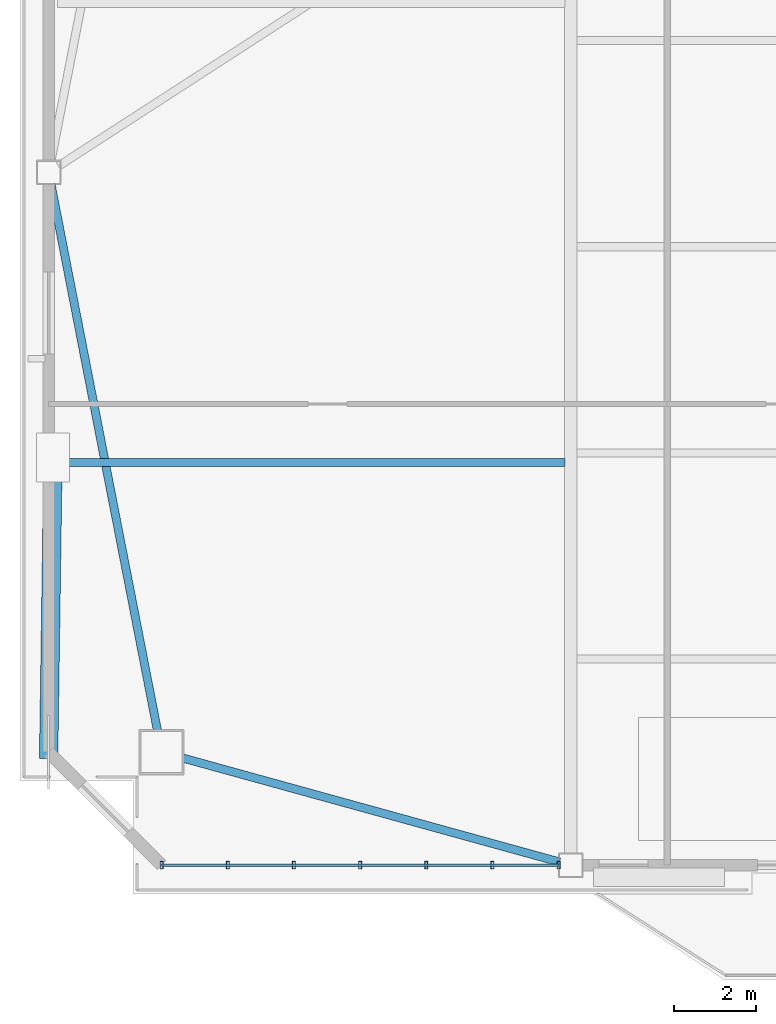
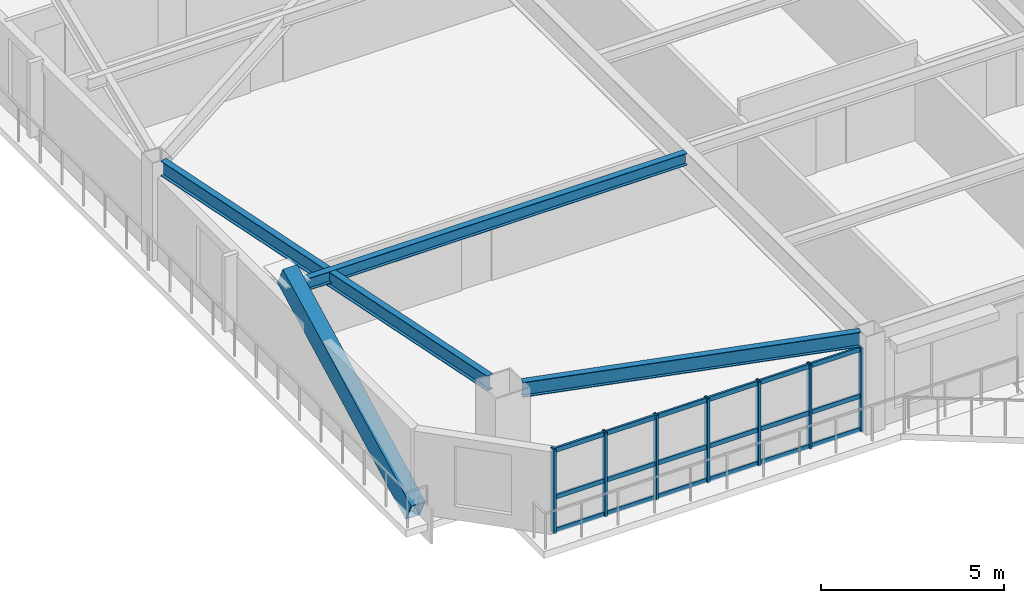
# One storey, part 2 of 17: 11 members, 3 beams, 1 element without a shape of its own.
"""IFC4 building model written with IfcOpenShell, lengths in metres."""

from ifc_helpers import new_model, si_unit, direction, frame, origin, origin_2d, place, context, subcontext, project, spatial, hollow_rectangle, i_section, extrude, source, transform, mapped, material, layer, layer_set, material_profile, profile_set, type_object, element, aggregate, save


model = new_model("IFC4")

# Units and contexts
model_context = context("Model", 3, precision=1e-05, world=origin(), true_north=direction((0.0, 1.0)))
body_context = subcontext(model_context, "Body", "Model", "MODEL_VIEW")
ifc_project = project(units=[si_unit("LENGTHUNIT", "METRE"), si_unit("AREAUNIT", "SQUARE_METRE"), si_unit("VOLUMEUNIT", "CUBIC_METRE"), si_unit("PLANEANGLEUNIT", "RADIAN"), si_unit("MASSUNIT", "GRAM", prefix="KILO")], contexts=[model_context])

# Site, building, storey
site_placement = place(None, origin())
site = spatial("IfcSite", under=ifc_project, at=site_placement, CompositionType="ELEMENT")
building_placement = place(site_placement, origin())
building = spatial("IfcBuilding", under=site, at=building_placement, Name="Giltprow Tower", CompositionType="ELEMENT")
storey_placement = place(building_placement, frame((0.0, 0.0, 213.199951171875)))
storey = spatial("IfcBuildingStorey", under=building, at=storey_placement, Name="L54", CompositionType="ELEMENT", Elevation=213.199951171875)

# Beams
ifc_material_1 = material(Name="Structural steel Q355B", Category="steel")
ifc_material_profile_1 = material_profile(ifc_material_1, i_section(OverallWidth=0.199951171875, OverallDepth=0.5, WebThickness=0.010009765625, FlangeThickness=0.01611328125, at=origin_2d()), Name="HN 500x200x10x16")
ifc_profile_set_1 = profile_set([ifc_material_profile_1], Name="Structural steel Q355B")
beam_type_1 = type_object("IfcBeamType", Name="BM-SPAN-HN500", PredefinedType="SPANDREL", material=ifc_profile_set_1)
shared_shape_1 = source(origin(), body_context, "Body", "SweptSolid", [
    extrude(i_section(OverallWidth=0.199951171875, OverallDepth=0.5, WebThickness=0.010009765625, FlangeThickness=0.01611328125, at=origin_2d()), origin(), (0.0, 0.0, 1.0), 9.530517578125),
])
beam_1_placement = place(storey_placement, frame((10.387939453125, 14.929931640625, 3.02001953125), z_axis=(0.963951167116, -0.266079212672, 0.0), x_axis=(0.266079212672, 0.963951167116, 0.0)))
element("IfcBeam", 1, at=beam_1_placement, inside=storey, type_object=beam_type_1, Name="L54 Perimeter Spandrel Beam MC_SW-S1", PredefinedType="SPANDREL", context=body_context, shape_type="MappedRepresentation", body=[
    mapped(shared_shape_1, transform((0.0, 0.0, 0.0), x_axis=(1.0, 0.0, 0.0), y_axis=(0.0, 1.0, 0.0), z_axis=(0.0, 0.0, 1.0), scale=1.0)),
])
shared_shape_2 = source(origin(), body_context, "Body", "SweptSolid", [
    extrude(i_section(OverallWidth=0.199951171875, OverallDepth=0.5, WebThickness=0.010009765625, FlangeThickness=0.01611328125, at=origin_2d()), origin(), (0.0, 0.0, 1.0), 13.582763671875),
])
beam_2_placement = place(storey_placement, frame((7.172119140625, 28.928955078125, 3.02001953125), z_axis=(0.19126414203, -0.981538602386, 0.0), x_axis=(0.981538602386, 0.19126414203, 0.0)))
element("IfcBeam", 2, at=beam_2_placement, inside=storey, type_object=beam_type_1, Name="L54 Perimeter Spandrel Beam W_MID-MC_SW", PredefinedType="SPANDREL", context=body_context, shape_type="MappedRepresentation", body=[
    mapped(shared_shape_2, transform((0.0, 0.0, 0.0), x_axis=(1.0, 0.0, 0.0), y_axis=(0.0, 1.0, 0.0), z_axis=(0.0, 0.0, 1.0), scale=1.0)),
])
ifc_material_profile_2 = material_profile(ifc_material_1, i_section(OverallWidth=0.199951171875, OverallDepth=0.39990234375, WebThickness=0.008056640625, FlangeThickness=0.012939453125, at=origin_2d()), Name="HN 400x200x8x13")
ifc_profile_set_2 = profile_set([ifc_material_profile_2], Name="Structural steel Q355B")
beam_type_2 = type_object("IfcBeamType", Name="BM-JOIST-HN400", PredefinedType="JOIST", material=ifc_profile_set_2)
shared_shape_3 = source(origin(), body_context, "Body", "SweptSolid", [
    extrude(i_section(OverallWidth=0.199951171875, OverallDepth=0.39990234375, WebThickness=0.008056640625, FlangeThickness=0.012939453125, at=origin_2d()), origin(), (0.0, 0.0, 1.0), 12.3671875),
])
beam_3_placement = place(storey_placement, frame((7.337890625, 22.139892578125, 3.070068359375), z_axis=(1.0, 0.0, 0.0), x_axis=(0.0, 1.0, 0.0)))
element("IfcBeam", 3, at=beam_3_placement, inside=storey, type_object=beam_type_2, Name="L54 West Wing Floor Joist 1", PredefinedType="JOIST", context=body_context, shape_type="MappedRepresentation", body=[
    mapped(shared_shape_3, transform((0.0, 0.0, 0.0), x_axis=(1.0, 0.0, 0.0), y_axis=(0.0, 1.0, 0.0), z_axis=(0.0, 0.0, 1.0), scale=1.0)),
])

# Member
ifc_material_2 = material(Name="Structural steel Q420GJC", Category="steel")
ifc_material_profile_3 = material_profile(ifc_material_2, hollow_rectangle(XDim=0.449951171875, YDim=0.699951171875, WallThickness=0.031982421875, at=origin_2d()), Name="RHS 700x450x32")
ifc_profile_set_3 = profile_set([ifc_material_profile_3], Name="Structural steel Q420GJC")
member_type_1 = type_object("IfcMemberType", Name="MBR-MEGA-RHS700", PredefinedType="BRACE", material=ifc_profile_set_3)
shared_shape_4 = source(origin(), body_context, "Body", "SweptSolid", [
    extrude(hollow_rectangle(XDim=0.449951171875, YDim=0.699951171875, WallThickness=0.031982421875, at=origin_2d()), origin(), (0.0, 0.0, 1.0), 7.990966796875),
])
member_1_placement = place(storey_placement, frame((7.117919921875, 15.072021484375, 0.0), z_axis=(0.013137498908, 0.898879896197, 0.437998103119), x_axis=(-0.999893211992, 0.01461385001, 0.0)))
element("IfcMember", 4, at=member_1_placement, inside=storey, type_object=member_type_1, Name="L54 Chevron Mega-Brace W-D", PredefinedType="BRACE", context=body_context, shape_type="MappedRepresentation", body=[
    mapped(shared_shape_4, transform((0.0, 0.0, 0.0), x_axis=(1.0, 0.0, 0.0), y_axis=(0.0, 1.0, 0.0), z_axis=(0.0, 0.0, 1.0), scale=1.0)),
])

# Curtain wall, members
ifc_material_3 = material(Name="Anodized bronze", Category="metal")
ifc_layer = layer(ifc_material_3, 0.179931640625, Name="Anodized bronze")
ifc_layer_set = layer_set([ifc_layer], Name="Anodized bronze")
curtain_wall_type = type_object("IfcCurtainWallType", Name="CW-HTL-BRONZE", PredefinedType="NOTDEFINED", material=ifc_layer_set)
curtain_wall_placement = place(storey_placement, origin())
curtain_wall = element("IfcCurtainWall", 5, at=curtain_wall_placement, inside=storey, type_object=curtain_wall_type, Name="L54 South Recessed Curtain Wall 1", PredefinedType="NOTDEFINED")
ifc_material_profile_4 = material_profile(ifc_material_3, hollow_rectangle(XDim=0.074951171875, YDim=0.179931640625, WallThickness=0.008056640625, at=origin_2d()), Name="RHS 180x75x8")
ifc_profile_set_4 = profile_set([ifc_material_profile_4], Name="Anodized bronze")
member_type_2 = type_object("IfcMemberType", Name="CW-MULLION-180x75", PredefinedType="MULLION", material=ifc_profile_set_4)
shared_shape_5 = source(origin(), body_context, "Body", "SweptSolid", [
    extrude(hollow_rectangle(XDim=0.074951171875, YDim=0.179931640625, WallThickness=0.008056640625, at=origin_2d()), origin(), (0.0, 0.0, 1.0), 2.80517578125),
])
member_2_placement = place(storey_placement, frame((9.8720703125, 12.318115234375, -0.02001953125), z_axis=(0.0, 0.0, 1.0), x_axis=(1.0, 0.0, 0.0)))
member_2 = element("IfcMember", 6, at=member_2_placement, type_object=member_type_2, Name="L54 South Recessed Curtain Wall 1 Mullion 1", PredefinedType="MULLION", context=body_context, shape_type="MappedRepresentation", body=[
    mapped(shared_shape_5, transform((0.0, 0.0, 0.0), x_axis=(1.0, 0.0, 0.0), y_axis=(0.0, 1.0, 0.0), z_axis=(0.0, 0.0, 1.0), scale=1.0)),
])
member_3_placement = place(storey_placement, frame((11.485107421875, 12.318115234375, -0.02001953125), z_axis=(0.0, 0.0, 1.0), x_axis=(1.0, 0.0, 0.0)))
member_3 = element("IfcMember", 7, at=member_3_placement, type_object=member_type_2, Name="L54 South Recessed Curtain Wall 1 Mullion 2", PredefinedType="MULLION", context=body_context, shape_type="MappedRepresentation", body=[
    mapped(shared_shape_5, transform((0.0, 0.0, 0.0), x_axis=(1.0, 0.0, 0.0), y_axis=(0.0, 1.0, 0.0), z_axis=(0.0, 0.0, 1.0), scale=1.0)),
])
member_4_placement = place(storey_placement, frame((13.097900390625, 12.318115234375, -0.02001953125), z_axis=(0.0, 0.0, 1.0), x_axis=(1.0, 0.0, 0.0)))
member_4 = element("IfcMember", 8, at=member_4_placement, type_object=member_type_2, Name="L54 South Recessed Curtain Wall 1 Mullion 3", PredefinedType="MULLION", context=body_context, shape_type="MappedRepresentation", body=[
    mapped(shared_shape_5, transform((0.0, 0.0, 0.0), x_axis=(1.0, 0.0, 0.0), y_axis=(0.0, 1.0, 0.0), z_axis=(0.0, 0.0, 1.0), scale=1.0)),
])
member_5_placement = place(storey_placement, frame((14.7109375, 12.318115234375, -0.02001953125), z_axis=(0.0, 0.0, 1.0), x_axis=(1.0, 0.0, 0.0)))
member_5 = element("IfcMember", 9, at=member_5_placement, type_object=member_type_2, Name="L54 South Recessed Curtain Wall 1 Mullion 4", PredefinedType="MULLION", context=body_context, shape_type="MappedRepresentation", body=[
    mapped(shared_shape_5, transform((0.0, 0.0, 0.0), x_axis=(1.0, 0.0, 0.0), y_axis=(0.0, 1.0, 0.0), z_axis=(0.0, 0.0, 1.0), scale=1.0)),
])
member_6_placement = place(storey_placement, frame((16.323974609375, 12.318115234375, -0.02001953125), z_axis=(0.0, 0.0, 1.0), x_axis=(1.0, 0.0, 0.0)))
member_6 = element("IfcMember", 10, at=member_6_placement, type_object=member_type_2, Name="L54 South Recessed Curtain Wall 1 Mullion 5", PredefinedType="MULLION", context=body_context, shape_type="MappedRepresentation", body=[
    mapped(shared_shape_5, transform((0.0, 0.0, 0.0), x_axis=(1.0, 0.0, 0.0), y_axis=(0.0, 1.0, 0.0), z_axis=(0.0, 0.0, 1.0), scale=1.0)),
])
member_7_placement = place(storey_placement, frame((17.93701171875, 12.318115234375, -0.02001953125), z_axis=(0.0, 0.0, 1.0), x_axis=(1.0, 0.0, 0.0)))
member_7 = element("IfcMember", 11, at=member_7_placement, type_object=member_type_2, Name="L54 South Recessed Curtain Wall 1 Mullion 6", PredefinedType="MULLION", context=body_context, shape_type="MappedRepresentation", body=[
    mapped(shared_shape_5, transform((0.0, 0.0, 0.0), x_axis=(1.0, 0.0, 0.0), y_axis=(0.0, 1.0, 0.0), z_axis=(0.0, 0.0, 1.0), scale=1.0)),
])
member_8_placement = place(storey_placement, frame((19.550048828125, 12.318115234375, -0.02001953125), z_axis=(0.0, 0.0, 1.0), x_axis=(1.0, 0.0, 0.0)))
member_8 = element("IfcMember", 12, at=member_8_placement, type_object=member_type_2, Name="L54 South Recessed Curtain Wall 1 Mullion 7", PredefinedType="MULLION", context=body_context, shape_type="MappedRepresentation", body=[
    mapped(shared_shape_5, transform((0.0, 0.0, 0.0), x_axis=(1.0, 0.0, 0.0), y_axis=(0.0, 1.0, 0.0), z_axis=(0.0, 0.0, 1.0), scale=1.0)),
])
ifc_material_profile_5 = material_profile(ifc_material_3, hollow_rectangle(XDim=0.06494140625, YDim=0.14990234375, WallThickness=0.006103515625, at=origin_2d()), Name="RHS 150x65x6")
ifc_profile_set_5 = profile_set([ifc_material_profile_5], Name="Anodized bronze")
member_type_3 = type_object("IfcMemberType", Name="CW-TRANSOM-150x65", PredefinedType="USERDEFINED", material=ifc_profile_set_5)
shared_shape_6 = source(origin(), body_context, "Body", "SweptSolid", [
    extrude(hollow_rectangle(XDim=0.06494140625, YDim=0.14990234375, WallThickness=0.006103515625, at=origin_2d()), origin(), (0.0, 0.0, 1.0), 9.677978515625),
])
member_9_placement = place(storey_placement, frame((9.8720703125, 12.318115234375, 0.0400390625), z_axis=(1.0, 0.0, 0.0), x_axis=(0.0, 1.0, 0.0)))
member_9 = element("IfcMember", 13, at=member_9_placement, type_object=member_type_3, Name="L54 South Recessed Curtain Wall 1 Transom 1", ObjectType="TRANSOM", PredefinedType="USERDEFINED", context=body_context, shape_type="MappedRepresentation", body=[
    mapped(shared_shape_6, transform((0.0, 0.0, 0.0), x_axis=(1.0, 0.0, 0.0), y_axis=(0.0, 1.0, 0.0), z_axis=(0.0, 0.0, 1.0), scale=1.0)),
])
member_10_placement = place(storey_placement, frame((9.8720703125, 12.318115234375, 1.155029296875), z_axis=(1.0, 0.0, 0.0), x_axis=(0.0, 1.0, 0.0)))
member_10 = element("IfcMember", 14, at=member_10_placement, type_object=member_type_3, Name="L54 South Recessed Curtain Wall 1 Transom 2", ObjectType="TRANSOM", PredefinedType="USERDEFINED", context=body_context, shape_type="MappedRepresentation", body=[
    mapped(shared_shape_6, transform((0.0, 0.0, 0.0), x_axis=(1.0, 0.0, 0.0), y_axis=(0.0, 1.0, 0.0), z_axis=(0.0, 0.0, 1.0), scale=1.0)),
])
member_11_placement = place(storey_placement, frame((9.8720703125, 12.318115234375, 2.7099609375), z_axis=(1.0, 0.0, 0.0), x_axis=(0.0, 1.0, 0.0)))
member_11 = element("IfcMember", 15, at=member_11_placement, type_object=member_type_3, Name="L54 South Recessed Curtain Wall 1 Transom 3", ObjectType="TRANSOM", PredefinedType="USERDEFINED", context=body_context, shape_type="MappedRepresentation", body=[
    mapped(shared_shape_6, transform((0.0, 0.0, 0.0), x_axis=(1.0, 0.0, 0.0), y_axis=(0.0, 1.0, 0.0), z_axis=(0.0, 0.0, 1.0), scale=1.0)),
])
aggregate(curtain_wall, [member_2, member_3, member_4, member_5, member_6, member_7, member_8, member_9, member_10, member_11])

save(model, "model.ifc")
